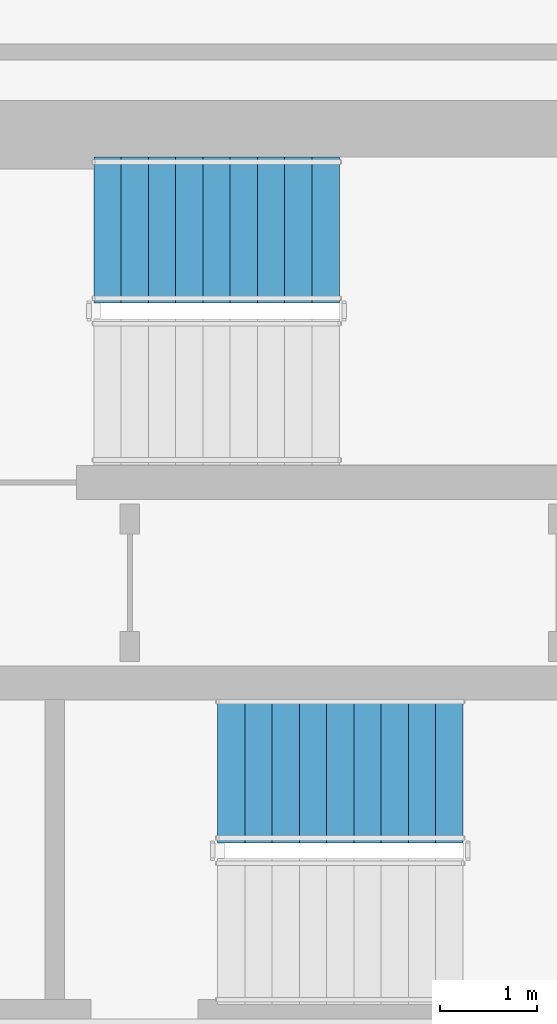
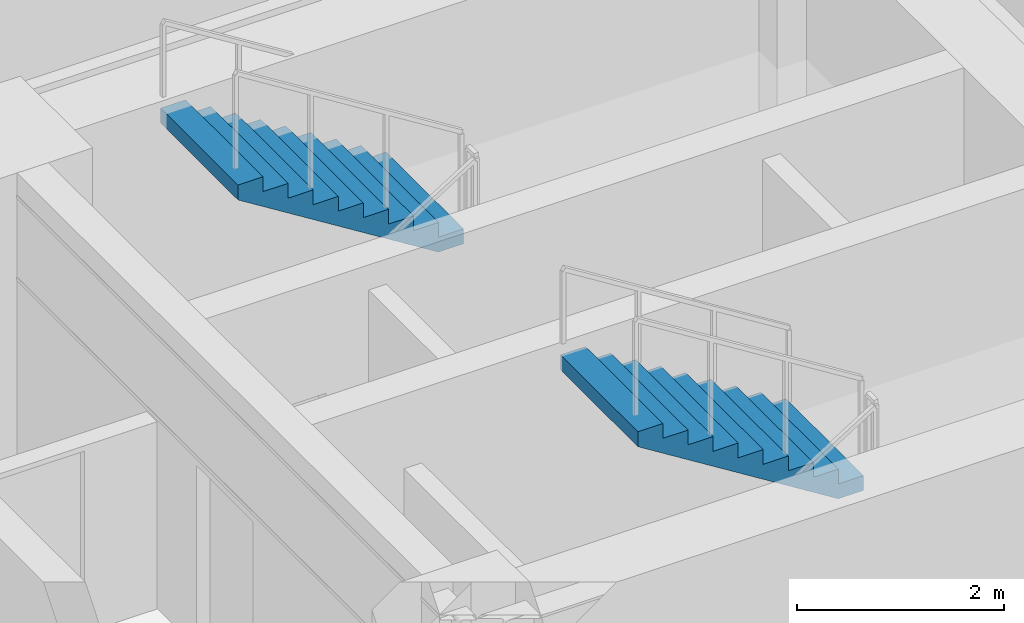
# One storey, part 12 of 16: 2 stair flights, 2 elements without a shape of their own.
"""IFC4 building model written with IfcOpenShell, lengths in metres."""

import ifcopenshell
import ifcopenshell.guid

model = None  # the IFC model being written
_history = None  # IfcOwnerHistory: only IFC2X3 demands one
_inside = {}  # id of a spatial element -> (the spatial element, [elements in it])
_under = {}  # id of a project, library or spatial element -> (it, [spatial elements below it])
_declared = {}  # id of a project -> (the project, [libraries it declares])
_typed = {}  # id of a type object -> (the type object, [elements of that type])
_made_of = {}  # id of a material, layer set ... -> (it, [elements and type objects made of it])


def new_model(schema):
    """Start an empty IFC model of exactly this schema.

    Asked for "IFC4X3", IfcOpenShell would pick the latest addendum, in which some entities
    have other attributes; the version numbers below select the first issue.
    IFC2X3 requires an IfcOwnerHistory on every rooted entity: one is made here for all.
    """
    global model, _history
    if schema == "IFC4X3":
        model = ifcopenshell.file(schema_version=(4, 3, 0, 0))
    else:
        model = ifcopenshell.file(schema=schema)
    _inside.clear()
    _under.clear()
    _declared.clear()
    _typed.clear()
    _made_of.clear()
    _history = None
    if model.schema == "IFC2X3":
        org = make("IfcOrganization", Name="unknown")
        user = make(
            "IfcPersonAndOrganization",
            ThePerson=make("IfcPerson", FamilyName="unknown"),
            TheOrganization=org,
        )
        app = make(
            "IfcApplication",
            ApplicationDeveloper=org,
            Version="unknown",
            ApplicationFullName="unknown",
            ApplicationIdentifier="unknown",
        )
        _history = make(
            "IfcOwnerHistory",
            OwningUser=user,
            OwningApplication=app,
            ChangeAction="ADDED",
            CreationDate=0,
        )
    return model


def make(cls, **values):
    """One entity of the class cls with the attributes given. An attribute that is None is left unset."""
    return model.create_entity(
        cls, **{name: value for name, value in values.items() if value is not None}
    )


def rooted(cls, **values):
    """An entity with a GlobalId (a new one), such as an element, a storey or a relation."""
    return make(cls, GlobalId=ifcopenshell.guid.new(), OwnerHistory=_history, **values)


def si_unit(unit_type, name, prefix=None):
    """IfcSIUnit, for example si_unit("LENGTHUNIT", "METRE", prefix="MILLI")."""
    return make("IfcSIUnit", UnitType=unit_type, Prefix=prefix, Name=name)


def assignment(units):
    """IfcUnitAssignment: the units of a project."""
    return None if units is None else make("IfcUnitAssignment", Units=units)


def point(xyz):
    """IfcCartesianPoint."""
    return None if xyz is None else make("IfcCartesianPoint", Coordinates=xyz)


def direction(xyz):
    """IfcDirection."""
    return None if xyz is None else make("IfcDirection", DirectionRatios=xyz)


def frame(location, z_axis=None, x_axis=None):
    """IfcAxis2Placement3D, a coordinate frame: its origin and axes. An axis left out is left unset."""
    return make(
        "IfcAxis2Placement3D",
        Location=point(location),
        Axis=direction(z_axis),
        RefDirection=direction(x_axis),
    )


def origin():
    """The frame at (0, 0, 0) with its axes left unset."""
    return frame((0.0, 0.0, 0.0))


def place(relative_to, where):
    """IfcLocalPlacement: puts the frame where relative to a parent placement (None: the world)."""
    return make(
        "IfcLocalPlacement", PlacementRelTo=relative_to, RelativePlacement=where
    )


def context(
    kind, dimensions, precision=None, world=None, true_north=None, identifier=None
):
    """IfcGeometricRepresentationContext, for example the 3D "Model" context."""
    return make(
        "IfcGeometricRepresentationContext",
        ContextIdentifier=identifier,
        ContextType=kind,
        CoordinateSpaceDimension=dimensions,
        Precision=precision,
        WorldCoordinateSystem=world,
        TrueNorth=true_north,
    )


def subcontext(parent, identifier, kind, view, scale=None):
    """IfcGeometricRepresentationSubContext, for example "Body" below "Model"."""
    return make(
        "IfcGeometricRepresentationSubContext",
        ContextIdentifier=identifier,
        ContextType=kind,
        ParentContext=parent,
        TargetScale=scale,
        TargetView=view,
    )


def project(units=None, contexts=None):
    """IfcProject with its units and contexts."""
    return rooted(
        "IfcProject",
        Name="project",
        RepresentationContexts=contexts,
        UnitsInContext=assignment(units),
    )


def spatial(cls, under=None, at=None, **own):
    """A site, building, storey or space (cls), placed at a placement, below another one or the project."""
    s = rooted(cls, ObjectPlacement=at, **own)
    if under is not None:
        _under.setdefault(under.id(), (under, []))[1].append(s)
    return s


def polyline(points):
    """IfcPolyline through the points."""
    return make("IfcPolyline", Points=[point(p) for p in points])


def outline(outer, holes=None, kind="AREA"):
    """IfcArbitraryClosedProfileDef: a profile drawn as a closed curve; with holes, ...WithVoids."""
    if holes is None:
        return make("IfcArbitraryClosedProfileDef", ProfileType=kind, OuterCurve=outer)
    return make(
        "IfcArbitraryProfileDefWithVoids",
        ProfileType=kind,
        OuterCurve=outer,
        InnerCurves=holes,
    )


def extrude(swept, where, along, depth):
    """IfcExtrudedAreaSolid: the profile swept, set in the frame where, extruded along a direction by depth."""
    return make(
        "IfcExtrudedAreaSolid",
        SweptArea=swept,
        Position=where,
        ExtrudedDirection=direction(along),
        Depth=depth,
    )


def shape(context_of_items, identifier, shape_type, items):
    """IfcShapeRepresentation: the items that make up one representation, for example the "Body"."""
    return make(
        "IfcShapeRepresentation",
        ContextOfItems=context_of_items,
        RepresentationIdentifier=identifier,
        RepresentationType=shape_type,
        Items=items,
    )


def material(Name=None, Category=None):
    """IfcMaterial."""
    return make("IfcMaterial", Name=Name, Category=Category)


def layer(
    of_material, thickness, ventilated=None, Name=None, Category=None, Priority=None
):
    """IfcMaterialLayer: one layer of a wall or slab, of a material (None: an air gap)."""
    return make(
        "IfcMaterialLayer",
        Material=of_material,
        LayerThickness=thickness,
        IsVentilated=ventilated,
        Name=Name,
        Category=Category,
        Priority=Priority,
    )


def layer_set(layers, Name=None):
    """IfcMaterialLayerSet."""
    return make("IfcMaterialLayerSet", MaterialLayers=layers, LayerSetName=Name)


def made_of(thing, what):
    """Note that an element or type object is made of a material, layer set ...; save() writes the relation."""
    if what is not None:
        _made_of.setdefault(what.id(), (what, []))[1].append(thing)
    return thing


def type_object(cls, material=None, **own):
    """A type object (cls), such as IfcWallType, which elements share."""
    return made_of(rooted(cls, **own), material)


def element(
    cls,
    number,
    at=None,
    inside=None,
    cuts=None,
    type_object=None,
    material=None,
    context=None,
    identifier="Body",
    shape_type=None,
    held_by="IfcProductDefinitionShape",
    body=None,
    shapes=None,
    **own,
):
    """One element of the class cls, such as IfcWall. Its Tag is "e" and its number.

    at: its placement. inside: the storey or other place that contains it. cuts: it is an
    opening in that element (IfcRelVoidsElement). A single representation is given by context,
    identifier, shape_type and body (its items); several are given by shapes. held_by: the class
    of the entity that holds the representations. save() writes the other relations.
    """
    e = rooted(cls, Tag="e%d" % number, ObjectPlacement=at, **own)
    if body is not None:
        shapes = [shape(context, identifier, shape_type, body)]
    if shapes is not None:
        e.Representation = make(held_by, Representations=shapes)
    if inside is not None:
        _inside.setdefault(inside.id(), (inside, []))[1].append(e)
    if cuts is not None:
        rooted(
            "IfcRelVoidsElement", RelatingBuildingElement=cuts, RelatedOpeningElement=e
        )
    if type_object is not None:
        _typed.setdefault(type_object.id(), (type_object, []))[1].append(e)
    return made_of(e, material)


def aggregate(whole, parts):
    """IfcRelAggregates: a whole, such as a stair, and the parts it consists of."""
    return rooted("IfcRelAggregates", RelatingObject=whole, RelatedObjects=parts)


def save(model, path):
    """Write the relations noted so far, then the file.

    IfcRelAggregates (storeys below a building ...), IfcRelContainedInSpatialStructure (elements
    in a storey), IfcRelDefinesByType, IfcRelAssociatesMaterial and IfcRelDeclares: one each for
    every whole, place, type object, material and project.
    """
    for whole, parts in _under.values():
        aggregate(whole, parts)
    for where, things in _inside.values():
        rooted(
            "IfcRelContainedInSpatialStructure",
            RelatedElements=things,
            RelatingStructure=where,
        )
    for kind, things in _typed.values():
        rooted("IfcRelDefinesByType", RelatedObjects=things, RelatingType=kind)
    for what, things in _made_of.values():
        rooted("IfcRelAssociatesMaterial", RelatedObjects=things, RelatingMaterial=what)
    for by, libraries in _declared.values():
        rooted("IfcRelDeclares", RelatingContext=by, RelatedDefinitions=libraries)
    model.write(path)


model = new_model("IFC4")

# Units and contexts
model_context = context("Model", 3, precision=1e-05, world=origin(), true_north=direction((0.0, 1.0)))
body_context = subcontext(model_context, "Body", "Model", "MODEL_VIEW")
ifc_project = project(units=[si_unit("LENGTHUNIT", "METRE"), si_unit("AREAUNIT", "SQUARE_METRE"), si_unit("VOLUMEUNIT", "CUBIC_METRE"), si_unit("PLANEANGLEUNIT", "RADIAN"), si_unit("MASSUNIT", "GRAM", prefix="KILO")], contexts=[model_context])

# Site, building, storey
site_placement = place(None, origin())
site = spatial("IfcSite", under=ifc_project, at=site_placement, CompositionType="ELEMENT")
building_placement = place(site_placement, origin())
building = spatial("IfcBuilding", under=site, at=building_placement, Name="Zarnavel Station Tower", CompositionType="ELEMENT")
storey_placement = place(building_placement, frame((0.0, 0.0, 46.5)))
storey = spatial("IfcBuildingStorey", under=building, at=storey_placement, Name="L12", CompositionType="ELEMENT", Elevation=46.5)

# Stair, stair flight
ifc_material_1 = material(Name="Concrete C45/55", Category="concrete")
stair_type = type_object("IfcStairType", Name="ST_CORE_150", PredefinedType="HALF_TURN_STAIR", material=ifc_material_1)
stair_1_placement = place(storey_placement, origin())
stair_1 = element("IfcStair", 1, at=stair_1_placement, inside=storey, type_object=stair_type, Name="L12 Core Exit Stair ST2", PredefinedType="HALF_TURN_STAIR")
ifc_material_2 = material(Name="Concrete C45/55", Category="concrete")
ifc_layer = layer(ifc_material_2, 0.179931640625)
ifc_layer_set = layer_set([ifc_layer], Name="ST_CORE_150_FLT")
stair_flight_type = type_object("IfcStairFlightType", Name="ST_CORE_150_FLT", PredefinedType="STRAIGHT", material=ifc_layer_set)
stair_flight_1_placement = place(storey_placement, frame((40.60009765625, 36.070068359375, 1.75), z_axis=(0.0, 0.0, 1.0), x_axis=(-1.0, 0.0, 0.0)))
stair_flight_1 = element("IfcStairFlight", 2, at=stair_flight_1_placement, type_object=stair_flight_type, Name="ST2 flight 2", NumberOfRisers=10, NumberOfTreads=9, PredefinedType="STRAIGHT", RiserHeight=0.175, TreadLength=0.28, context=body_context, shape_type="SweptSolid", body=[
    extrude(outline(polyline([(0.0, 0.0), (0.0, 0.175048828125), (0.280029296875, 0.175048828125), (0.280029296875, 0.35009765625), (0.56005859375, 0.35009765625), (0.56005859375, 0.52490234375), (0.840087890625, 0.52490234375), (0.840087890625, 0.699951171875), (1.1201171875, 0.699951171875), (1.1201171875, 0.875), (1.39990234375, 0.875), (1.39990234375, 1.050048828125), (1.679931640625, 1.050048828125), (1.679931640625, 1.22509765625), (1.9599609375, 1.22509765625), (1.9599609375, 1.39990234375), (2.239990234375, 1.39990234375), (2.239990234375, 1.574951171875), (2.52001953125, 1.574951171875), (2.52001953125, 1.75), (2.52001953125, 1.398193359375), (0.28271484375, 0.0), (0.0, 0.0)])), frame((0.0, 0.75, 0.0), z_axis=(0.0, -1.0, 0.0), x_axis=(1.0, 0.0, 0.0)), (0.0, 0.0, 1.0), 1.5),
])
aggregate(stair_1, [stair_flight_1])

stair_2_placement = place(storey_placement, origin())
stair_2 = element("IfcStair", 3, at=stair_2_placement, inside=storey, type_object=stair_type, Name="L12 Core Exit Stair ST3", PredefinedType="HALF_TURN_STAIR")
stair_flight_2_placement = place(storey_placement, frame((41.8701171875, 30.530029296875, 1.75), z_axis=(0.0, 0.0, 1.0), x_axis=(-1.0, 0.0, 0.0)))
stair_flight_2 = element("IfcStairFlight", 4, at=stair_flight_2_placement, type_object=stair_flight_type, Name="ST3 flight 2", NumberOfRisers=10, NumberOfTreads=9, PredefinedType="STRAIGHT", RiserHeight=0.175, TreadLength=0.28, context=body_context, shape_type="SweptSolid", body=[
    extrude(outline(polyline([(0.0, 0.0), (0.0, 0.175048828125), (0.280029296875, 0.175048828125), (0.280029296875, 0.35009765625), (0.56005859375, 0.35009765625), (0.56005859375, 0.52490234375), (0.840087890625, 0.52490234375), (0.840087890625, 0.699951171875), (1.1201171875, 0.699951171875), (1.1201171875, 0.875), (1.39990234375, 0.875), (1.39990234375, 1.050048828125), (1.679931640625, 1.050048828125), (1.679931640625, 1.22509765625), (1.9599609375, 1.22509765625), (1.9599609375, 1.39990234375), (2.239990234375, 1.39990234375), (2.239990234375, 1.574951171875), (2.52001953125, 1.574951171875), (2.52001953125, 1.75), (2.52001953125, 1.398193359375), (0.28271484375, 0.0), (0.0, 0.0)])), frame((0.0, 0.75, 0.0), z_axis=(0.0, -1.0, 0.0), x_axis=(1.0, 0.0, 0.0)), (0.0, 0.0, 1.0), 1.5),
])
aggregate(stair_2, [stair_flight_2])

save(model, "model.ifc")
